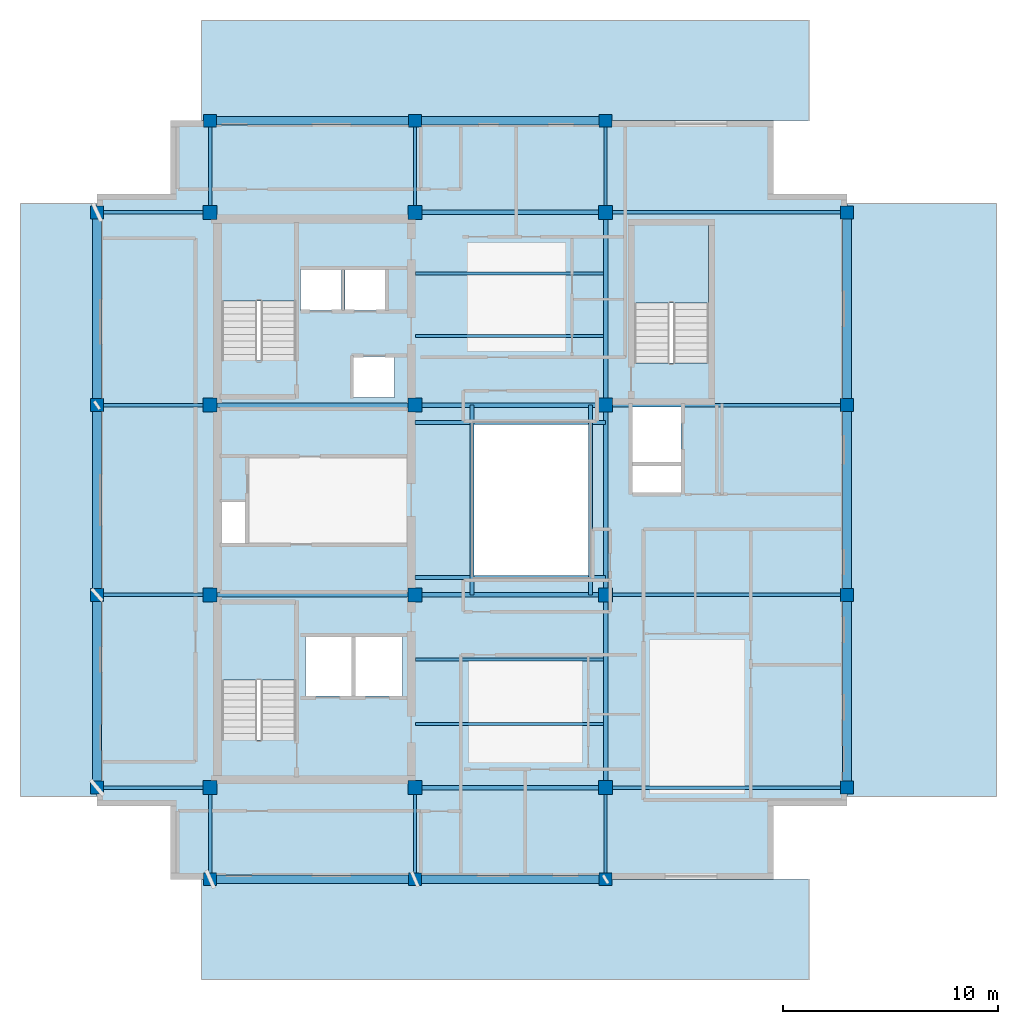
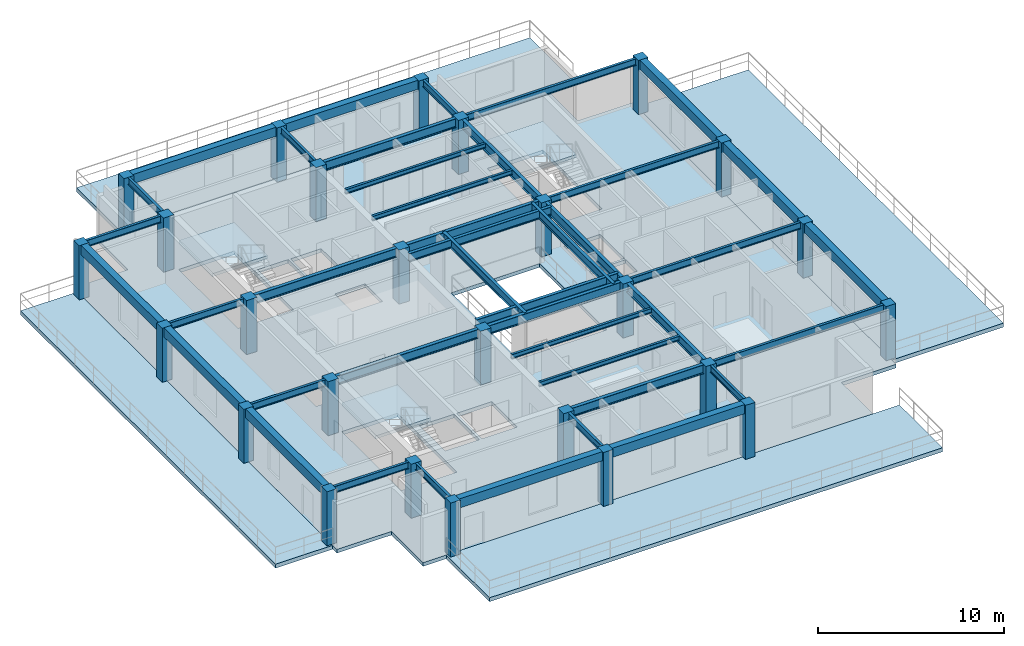
# One storey, part 1 of 9: 41 beams, 26 columns, 8 slabs, 3 elements without a shape of their own.
"""IFC4 building model written with IfcOpenShell, lengths in metres."""

import ifcopenshell
import ifcopenshell.guid

model = None  # the IFC model being written
_history = None  # IfcOwnerHistory: only IFC2X3 demands one
_inside = {}  # id of a spatial element -> (the spatial element, [elements in it])
_under = {}  # id of a project, library or spatial element -> (it, [spatial elements below it])
_declared = {}  # id of a project -> (the project, [libraries it declares])
_typed = {}  # id of a type object -> (the type object, [elements of that type])
_made_of = {}  # id of a material, layer set ... -> (it, [elements and type objects made of it])


def new_model(schema):
    """Start an empty IFC model of exactly this schema.

    Asked for "IFC4X3", IfcOpenShell would pick the latest addendum, in which some entities
    have other attributes; the version numbers below select the first issue.
    IFC2X3 requires an IfcOwnerHistory on every rooted entity: one is made here for all.
    """
    global model, _history
    if schema == "IFC4X3":
        model = ifcopenshell.file(schema_version=(4, 3, 0, 0))
    else:
        model = ifcopenshell.file(schema=schema)
    _inside.clear()
    _under.clear()
    _declared.clear()
    _typed.clear()
    _made_of.clear()
    _history = None
    if model.schema == "IFC2X3":
        org = make("IfcOrganization", Name="unknown")
        user = make(
            "IfcPersonAndOrganization",
            ThePerson=make("IfcPerson", FamilyName="unknown"),
            TheOrganization=org,
        )
        app = make(
            "IfcApplication",
            ApplicationDeveloper=org,
            Version="unknown",
            ApplicationFullName="unknown",
            ApplicationIdentifier="unknown",
        )
        _history = make(
            "IfcOwnerHistory",
            OwningUser=user,
            OwningApplication=app,
            ChangeAction="ADDED",
            CreationDate=0,
        )
    return model


def make(cls, **values):
    """One entity of the class cls with the attributes given. An attribute that is None is left unset."""
    return model.create_entity(
        cls, **{name: value for name, value in values.items() if value is not None}
    )


def rooted(cls, **values):
    """An entity with a GlobalId (a new one), such as an element, a storey or a relation."""
    return make(cls, GlobalId=ifcopenshell.guid.new(), OwnerHistory=_history, **values)


def si_unit(unit_type, name, prefix=None):
    """IfcSIUnit, for example si_unit("LENGTHUNIT", "METRE", prefix="MILLI")."""
    return make("IfcSIUnit", UnitType=unit_type, Prefix=prefix, Name=name)


def assignment(units):
    """IfcUnitAssignment: the units of a project."""
    return None if units is None else make("IfcUnitAssignment", Units=units)


def point(xyz):
    """IfcCartesianPoint."""
    return None if xyz is None else make("IfcCartesianPoint", Coordinates=xyz)


def direction(xyz):
    """IfcDirection."""
    return None if xyz is None else make("IfcDirection", DirectionRatios=xyz)


def frame(location, z_axis=None, x_axis=None):
    """IfcAxis2Placement3D, a coordinate frame: its origin and axes. An axis left out is left unset."""
    return make(
        "IfcAxis2Placement3D",
        Location=point(location),
        Axis=direction(z_axis),
        RefDirection=direction(x_axis),
    )


def frame_2d(location, x_axis=None):
    """IfcAxis2Placement2D, a coordinate frame in the plane: its origin and x axis."""
    return make(
        "IfcAxis2Placement2D", Location=point(location), RefDirection=direction(x_axis)
    )


def origin():
    """The frame at (0, 0, 0) with its axes left unset."""
    return frame((0.0, 0.0, 0.0))


def origin_2d():
    """The frame at (0, 0) in the plane with its x axis left unset."""
    return frame_2d((0.0, 0.0))


def place(relative_to, where):
    """IfcLocalPlacement: puts the frame where relative to a parent placement (None: the world)."""
    return make(
        "IfcLocalPlacement", PlacementRelTo=relative_to, RelativePlacement=where
    )


def context(
    kind, dimensions, precision=None, world=None, true_north=None, identifier=None
):
    """IfcGeometricRepresentationContext, for example the 3D "Model" context."""
    return make(
        "IfcGeometricRepresentationContext",
        ContextIdentifier=identifier,
        ContextType=kind,
        CoordinateSpaceDimension=dimensions,
        Precision=precision,
        WorldCoordinateSystem=world,
        TrueNorth=true_north,
    )


def subcontext(parent, identifier, kind, view, scale=None):
    """IfcGeometricRepresentationSubContext, for example "Body" below "Model"."""
    return make(
        "IfcGeometricRepresentationSubContext",
        ContextIdentifier=identifier,
        ContextType=kind,
        ParentContext=parent,
        TargetScale=scale,
        TargetView=view,
    )


def project(units=None, contexts=None):
    """IfcProject with its units and contexts."""
    return rooted(
        "IfcProject",
        Name="project",
        RepresentationContexts=contexts,
        UnitsInContext=assignment(units),
    )


def spatial(cls, under=None, at=None, **own):
    """A site, building, storey or space (cls), placed at a placement, below another one or the project."""
    s = rooted(cls, ObjectPlacement=at, **own)
    if under is not None:
        _under.setdefault(under.id(), (under, []))[1].append(s)
    return s


def polyline(points):
    """IfcPolyline through the points."""
    return make("IfcPolyline", Points=[point(p) for p in points])


def profile(cls, at=None, kind="AREA", **sizes):
    """A parametric profile (cls). Its sizes go by their IFC names, for example OverallWidth=200.0."""
    return make(cls, ProfileType=kind, Position=at, **sizes)


def rectangle(**sizes):
    """IfcRectangleProfileDef."""
    return profile("IfcRectangleProfileDef", **sizes)


def i_section(**sizes):
    """IfcIShapeProfileDef."""
    return profile("IfcIShapeProfileDef", **sizes)


def outline(outer, holes=None, kind="AREA"):
    """IfcArbitraryClosedProfileDef: a profile drawn as a closed curve; with holes, ...WithVoids."""
    if holes is None:
        return make("IfcArbitraryClosedProfileDef", ProfileType=kind, OuterCurve=outer)
    return make(
        "IfcArbitraryProfileDefWithVoids",
        ProfileType=kind,
        OuterCurve=outer,
        InnerCurves=holes,
    )


def extrude(swept, where, along, depth):
    """IfcExtrudedAreaSolid: the profile swept, set in the frame where, extruded along a direction by depth."""
    return make(
        "IfcExtrudedAreaSolid",
        SweptArea=swept,
        Position=where,
        ExtrudedDirection=direction(along),
        Depth=depth,
    )


def shape(context_of_items, identifier, shape_type, items):
    """IfcShapeRepresentation: the items that make up one representation, for example the "Body"."""
    return make(
        "IfcShapeRepresentation",
        ContextOfItems=context_of_items,
        RepresentationIdentifier=identifier,
        RepresentationType=shape_type,
        Items=items,
    )


def material(Name=None, Category=None):
    """IfcMaterial."""
    return make("IfcMaterial", Name=Name, Category=Category)


def layer(
    of_material, thickness, ventilated=None, Name=None, Category=None, Priority=None
):
    """IfcMaterialLayer: one layer of a wall or slab, of a material (None: an air gap)."""
    return make(
        "IfcMaterialLayer",
        Material=of_material,
        LayerThickness=thickness,
        IsVentilated=ventilated,
        Name=Name,
        Category=Category,
        Priority=Priority,
    )


def layer_set(layers, Name=None):
    """IfcMaterialLayerSet."""
    return make("IfcMaterialLayerSet", MaterialLayers=layers, LayerSetName=Name)


def material_profile(
    of_material, cross_section, Name=None, Category=None, Priority=None
):
    """IfcMaterialProfile: a cross section and its material."""
    return make(
        "IfcMaterialProfile",
        Name=Name,
        Material=of_material,
        Profile=cross_section,
        Priority=Priority,
        Category=Category,
    )


def profile_set(profiles, Name=None, composite=None):
    """IfcMaterialProfileSet."""
    return make(
        "IfcMaterialProfileSet",
        Name=Name,
        MaterialProfiles=profiles,
        CompositeProfile=composite,
    )


def made_of(thing, what):
    """Note that an element or type object is made of a material, layer set ...; save() writes the relation."""
    if what is not None:
        _made_of.setdefault(what.id(), (what, []))[1].append(thing)
    return thing


def type_object(cls, material=None, **own):
    """A type object (cls), such as IfcWallType, which elements share."""
    return made_of(rooted(cls, **own), material)


def element(
    cls,
    number,
    at=None,
    inside=None,
    cuts=None,
    type_object=None,
    material=None,
    context=None,
    identifier="Body",
    shape_type=None,
    held_by="IfcProductDefinitionShape",
    body=None,
    shapes=None,
    **own,
):
    """One element of the class cls, such as IfcWall. Its Tag is "e" and its number.

    at: its placement. inside: the storey or other place that contains it. cuts: it is an
    opening in that element (IfcRelVoidsElement). A single representation is given by context,
    identifier, shape_type and body (its items); several are given by shapes. held_by: the class
    of the entity that holds the representations. save() writes the other relations.
    """
    e = rooted(cls, Tag="e%d" % number, ObjectPlacement=at, **own)
    if body is not None:
        shapes = [shape(context, identifier, shape_type, body)]
    if shapes is not None:
        e.Representation = make(held_by, Representations=shapes)
    if inside is not None:
        _inside.setdefault(inside.id(), (inside, []))[1].append(e)
    if cuts is not None:
        rooted(
            "IfcRelVoidsElement", RelatingBuildingElement=cuts, RelatedOpeningElement=e
        )
    if type_object is not None:
        _typed.setdefault(type_object.id(), (type_object, []))[1].append(e)
    return made_of(e, material)


def aggregate(whole, parts):
    """IfcRelAggregates: a whole, such as a stair, and the parts it consists of."""
    return rooted("IfcRelAggregates", RelatingObject=whole, RelatedObjects=parts)


def save(model, path):
    """Write the relations noted so far, then the file.

    IfcRelAggregates (storeys below a building ...), IfcRelContainedInSpatialStructure (elements
    in a storey), IfcRelDefinesByType, IfcRelAssociatesMaterial and IfcRelDeclares: one each for
    every whole, place, type object, material and project.
    """
    for whole, parts in _under.values():
        aggregate(whole, parts)
    for where, things in _inside.values():
        rooted(
            "IfcRelContainedInSpatialStructure",
            RelatedElements=things,
            RelatingStructure=where,
        )
    for kind, things in _typed.values():
        rooted("IfcRelDefinesByType", RelatedObjects=things, RelatingType=kind)
    for what, things in _made_of.values():
        rooted("IfcRelAssociatesMaterial", RelatedObjects=things, RelatingMaterial=what)
    for by, libraries in _declared.values():
        rooted("IfcRelDeclares", RelatingContext=by, RelatedDefinitions=libraries)
    model.write(path)


model = new_model("IFC4")

# Units and contexts
model_context = context("Model", 3, precision=1e-05, world=origin(), true_north=direction((0.0, 1.0)))
body_context = subcontext(model_context, "Body", "Model", "MODEL_VIEW")
ifc_project = project(units=[si_unit("LENGTHUNIT", "METRE"), si_unit("AREAUNIT", "SQUARE_METRE"), si_unit("VOLUMEUNIT", "CUBIC_METRE"), si_unit("PLANEANGLEUNIT", "RADIAN"), si_unit("MASSUNIT", "GRAM", prefix="KILO")], contexts=[model_context])

# Site, building, storey
site_placement = place(None, origin())
site = spatial("IfcSite", under=ifc_project, at=site_placement, CompositionType="ELEMENT")
building_placement = place(site_placement, origin())
building = spatial("IfcBuilding", under=site, at=building_placement, Name="Kundavana Baori Tower", CompositionType="ELEMENT")
storey_placement = place(building_placement, frame((0.0, 0.0, 327.699951171875)))
storey = spatial("IfcBuildingStorey", under=building, at=storey_placement, Name="L81", CompositionType="ELEMENT", Elevation=327.699951171875)

# Columns
ifc_material_1 = material(Name="Concrete C50/60", Category="concrete")
ifc_material_profile_1 = material_profile(ifc_material_1, rectangle(XDim=0.60009765625, YDim=0.60009765625, at=origin_2d()), Name="RC PF 600x600")
ifc_profile_set_1 = profile_set([ifc_material_profile_1], Name="Concrete C50/60")
column_type_1 = type_object("IfcColumnType", Name="COL-PF-600", PredefinedType="COLUMN", material=ifc_profile_set_1)
for number, where, z_axis, x_axis, name in (
    (1, (15.449951171875, 11.0, 0.0), (0.0, 0.0, 1.0), (1.0, 0.0, 0.0), "L81 Stone-Clad Perimeter Frame Column PF-S1"),
    (2, (15.449951171875, 46.199951171875, 0.0), (0.0, 0.0, 1.0), (1.0, 0.0, 0.0), "L81 Stone-Clad Perimeter Frame Column PF-N1"),
    (3, (24.949951171875, 11.0, 0.0), (0.0, 0.0, 1.0), (1.0, 0.0, 0.0), "L81 Stone-Clad Perimeter Frame Column PF-S2"),
    (4, (24.949951171875, 46.199951171875, 0.0), (0.0, 0.0, 1.0), (1.0, 0.0, 0.0), "L81 Stone-Clad Perimeter Frame Column PF-N2"),
    (5, (33.800048828125, 11.0, 0.0), (0.0, 0.0, 1.0), (1.0, 0.0, 0.0), "L81 Stone-Clad Perimeter Frame Column PF-S3"),
    (6, (33.800048828125, 46.199951171875, 0.0), (0.0, 0.0, 1.0), (1.0, 0.0, 0.0), "L81 Stone-Clad Perimeter Frame Column PF-N3"),
    (7, (10.199951171875, 15.25, 0.0), (0.0, 0.0, 1.0), (1.0, 0.0, 0.0), "L81 Stone-Clad Perimeter Frame Column PF-W1"),
    (8, (45.0, 15.25, 0.0), (0.0, 0.0, 1.0), (1.0, 0.0, 0.0), "L81 Stone-Clad Perimeter Frame Column PF-E1"),
    (9, (10.199951171875, 24.199951171875, 0.0), (0.0, 0.0, 1.0), (1.0, 0.0, 0.0), "L81 Stone-Clad Perimeter Frame Column PF-W2"),
    (10, (45.0, 24.199951171875, 0.0), (0.0, 0.0, 1.0), (1.0, 0.0, 0.0), "L81 Stone-Clad Perimeter Frame Column PF-E2"),
    (11, (10.199951171875, 33.0, 0.0), (0.0, 0.0, 1.0), (1.0, 0.0, 0.0), "L81 Stone-Clad Perimeter Frame Column PF-W3"),
    (12, (45.0, 33.0, 0.0), (0.0, 0.0, 1.0), (1.0, 0.0, 0.0), "L81 Stone-Clad Perimeter Frame Column PF-E3"),
    (13, (10.199951171875, 41.949951171875, 0.0), (0.0, 0.0, 1.0), (1.0, 0.0, 0.0), "L81 Stone-Clad Perimeter Frame Column PF-W4"),
    (14, (45.0, 41.949951171875, 0.0), (0.0, 0.0, 1.0), (1.0, 0.0, 0.0), "L81 Stone-Clad Perimeter Frame Column PF-E4"),
):
    element("IfcColumn", number, at=place(storey_placement, frame(where, z_axis=z_axis, x_axis=x_axis)), inside=storey, type_object=column_type_1, Name=name, PredefinedType="COLUMN", context=body_context, shape_type="SweptSolid", body=[
        extrude(rectangle(XDim=0.60009765625, YDim=0.60009765625, at=origin_2d()), origin(), (0.0, 0.0, 1.0), 3.56005859375),
    ])
ifc_material_2 = material(Name="Concrete C50/60", Category="concrete")
ifc_material_profile_2 = material_profile(ifc_material_2, rectangle(XDim=0.64990234375, YDim=0.64990234375, at=origin_2d()), Name="RC 650x650")
ifc_profile_set_2 = profile_set([ifc_material_profile_2], Name="Concrete C50/60")
column_type_2 = type_object("IfcColumnType", Name="COL-RC-650", PredefinedType="COLUMN", material=ifc_profile_set_2)
for number, where, z_axis, x_axis, name in (
    (15, (15.449951171875, 15.25, 0.0), (0.0, 0.0, 1.0), (1.0, 0.0, 0.0), "L81 Interior Column IC-3C"),
    (16, (15.449951171875, 24.199951171875, 0.0), (0.0, 0.0, 1.0), (1.0, 0.0, 0.0), "L81 Interior Column IC-3D"),
    (17, (15.449951171875, 33.0, 0.0), (0.0, 0.0, 1.0), (1.0, 0.0, 0.0), "L81 Interior Column IC-3E"),
    (18, (15.449951171875, 41.949951171875, 0.0), (0.0, 0.0, 1.0), (1.0, 0.0, 0.0), "L81 Interior Column IC-3F"),
    (19, (24.949951171875, 15.25, 0.0), (0.0, 0.0, 1.0), (1.0, 0.0, 0.0), "L81 Interior Column IC-4C"),
    (20, (24.949951171875, 24.199951171875, 0.0), (0.0, 0.0, 1.0), (1.0, 0.0, 0.0), "L81 Interior Column IC-4D"),
    (21, (24.949951171875, 33.0, 0.0), (0.0, 0.0, 1.0), (1.0, 0.0, 0.0), "L81 Interior Column IC-4E"),
    (22, (24.949951171875, 41.949951171875, 0.0), (0.0, 0.0, 1.0), (1.0, 0.0, 0.0), "L81 Interior Column IC-4F"),
    (23, (33.800048828125, 15.25, 0.0), (0.0, 0.0, 1.0), (1.0, 0.0, 0.0), "L81 Interior Column IC-5C"),
    (24, (33.800048828125, 24.199951171875, 0.0), (0.0, 0.0, 1.0), (1.0, 0.0, 0.0), "L81 Interior Column IC-5D"),
    (25, (33.800048828125, 33.0, 0.0), (0.0, 0.0, 1.0), (1.0, 0.0, 0.0), "L81 Interior Column IC-5E"),
    (26, (33.800048828125, 41.949951171875, 0.0), (0.0, 0.0, 1.0), (1.0, 0.0, 0.0), "L81 Interior Column IC-5F"),
):
    element("IfcColumn", number, at=place(storey_placement, frame(where, z_axis=z_axis, x_axis=x_axis)), inside=storey, type_object=column_type_2, Name=name, PredefinedType="COLUMN", context=body_context, shape_type="SweptSolid", body=[
        extrude(rectangle(XDim=0.64990234375, YDim=0.64990234375, at=origin_2d()), origin(), (0.0, 0.0, 1.0), 3.56005859375),
    ])

# Beams
ifc_material_3 = material(Name="Concrete C50/60", Category="concrete")
ifc_material_profile_3 = material_profile(ifc_material_3, rectangle(XDim=0.39990234375, YDim=0.60009765625, at=origin_2d()), Name="RC BM 400x600")
ifc_profile_set_3 = profile_set([ifc_material_profile_3], Name="Concrete C50/60")
beam_type_1 = type_object("IfcBeamType", Name="BM-PF-600", PredefinedType="SPANDREL", material=ifc_profile_set_3)
beam_1_placement = place(storey_placement, frame((15.449951171875, 11.0, 3.260009765625), z_axis=(1.0, 0.0, 0.0), x_axis=(0.0, 1.0, 0.0)))
element("IfcBeam", 27, at=beam_1_placement, inside=storey, type_object=beam_type_1, Name="L81 Perimeter Frame Ring Beam S1", PredefinedType="SPANDREL", context=body_context, shape_type="SweptSolid", body=[
    extrude(rectangle(XDim=0.39990234375, YDim=0.60009765625, at=origin_2d()), origin(), (0.0, 0.0, 1.0), 9.5),
])
beam_2_placement = place(storey_placement, frame((24.949951171875, 11.0, 3.260009765625), z_axis=(1.0, 0.0, 0.0), x_axis=(0.0, 1.0, 0.0)))
element("IfcBeam", 28, at=beam_2_placement, inside=storey, type_object=beam_type_1, Name="L81 Perimeter Frame Ring Beam S2", PredefinedType="SPANDREL", context=body_context, shape_type="SweptSolid", body=[
    extrude(rectangle(XDim=0.39990234375, YDim=0.60009765625, at=origin_2d()), origin(), (0.0, 0.0, 1.0), 8.85009765625),
])
beam_3_placement = place(storey_placement, frame((15.449951171875, 46.199951171875, 3.260009765625), z_axis=(1.0, 0.0, 0.0), x_axis=(0.0, 1.0, 0.0)))
element("IfcBeam", 29, at=beam_3_placement, inside=storey, type_object=beam_type_1, Name="L81 Perimeter Frame Ring Beam N1", PredefinedType="SPANDREL", context=body_context, shape_type="SweptSolid", body=[
    extrude(rectangle(XDim=0.39990234375, YDim=0.60009765625, at=origin_2d()), origin(), (0.0, 0.0, 1.0), 9.5),
])
beam_4_placement = place(storey_placement, frame((24.949951171875, 46.199951171875, 3.260009765625), z_axis=(1.0, 0.0, 0.0), x_axis=(0.0, 1.0, 0.0)))
element("IfcBeam", 30, at=beam_4_placement, inside=storey, type_object=beam_type_1, Name="L81 Perimeter Frame Ring Beam N2", PredefinedType="SPANDREL", context=body_context, shape_type="SweptSolid", body=[
    extrude(rectangle(XDim=0.39990234375, YDim=0.60009765625, at=origin_2d()), origin(), (0.0, 0.0, 1.0), 8.85009765625),
])
beam_5_placement = place(storey_placement, frame((10.199951171875, 15.25, 3.260009765625), z_axis=(0.0, 1.0, 0.0), x_axis=(-1.0, 0.0, 0.0)))
element("IfcBeam", 31, at=beam_5_placement, inside=storey, type_object=beam_type_1, Name="L81 Perimeter Frame Ring Beam W1", PredefinedType="SPANDREL", context=body_context, shape_type="SweptSolid", body=[
    extrude(rectangle(XDim=0.39990234375, YDim=0.60009765625, at=origin_2d()), origin(), (0.0, 0.0, 1.0), 8.949951171875),
])
beam_6_placement = place(storey_placement, frame((10.199951171875, 24.199951171875, 3.260009765625), z_axis=(0.0, 1.0, 0.0), x_axis=(-1.0, 0.0, 0.0)))
element("IfcBeam", 32, at=beam_6_placement, inside=storey, type_object=beam_type_1, Name="L81 Perimeter Frame Ring Beam W2", PredefinedType="SPANDREL", context=body_context, shape_type="SweptSolid", body=[
    extrude(rectangle(XDim=0.39990234375, YDim=0.60009765625, at=origin_2d()), origin(), (0.0, 0.0, 1.0), 8.800048828125),
])
for number, where, z_axis, x_axis, name in (
    (33, (10.199951171875, 33.0, 3.260009765625), (0.0, 1.0, 0.0), (-1.0, 0.0, 0.0), "L81 Perimeter Frame Ring Beam W3"),
    (34, (45.0, 15.25, 3.260009765625), (0.0, 1.0, 0.0), (-1.0, 0.0, 0.0), "L81 Perimeter Frame Ring Beam E1"),
):
    element("IfcBeam", number, at=place(storey_placement, frame(where, z_axis=z_axis, x_axis=x_axis)), inside=storey, type_object=beam_type_1, Name=name, PredefinedType="SPANDREL", context=body_context, shape_type="SweptSolid", body=[
        extrude(rectangle(XDim=0.39990234375, YDim=0.60009765625, at=origin_2d()), origin(), (0.0, 0.0, 1.0), 8.949951171875),
    ])
beam_7_placement = place(storey_placement, frame((45.0, 24.199951171875, 3.260009765625), z_axis=(0.0, 1.0, 0.0), x_axis=(-1.0, 0.0, 0.0)))
element("IfcBeam", 35, at=beam_7_placement, inside=storey, type_object=beam_type_1, Name="L81 Perimeter Frame Ring Beam E2", PredefinedType="SPANDREL", context=body_context, shape_type="SweptSolid", body=[
    extrude(rectangle(XDim=0.39990234375, YDim=0.60009765625, at=origin_2d()), origin(), (0.0, 0.0, 1.0), 8.800048828125),
])
beam_8_placement = place(storey_placement, frame((45.0, 33.0, 3.260009765625), z_axis=(0.0, 1.0, 0.0), x_axis=(-1.0, 0.0, 0.0)))
element("IfcBeam", 36, at=beam_8_placement, inside=storey, type_object=beam_type_1, Name="L81 Perimeter Frame Ring Beam E3", PredefinedType="SPANDREL", context=body_context, shape_type="SweptSolid", body=[
    extrude(rectangle(XDim=0.39990234375, YDim=0.60009765625, at=origin_2d()), origin(), (0.0, 0.0, 1.0), 8.949951171875),
])
ifc_material_4 = material(Name="Structural Steel S355JR", Category="steel")
ifc_material_profile_4 = material_profile(ifc_material_4, i_section(OverallWidth=0.139892578125, OverallDepth=0.300048828125, WebThickness=0.0078125, FlangeThickness=0.01318359375, FilletRadius=0.013916015625, at=origin_2d()), Name="ISMB 300")
ifc_profile_set_4 = profile_set([ifc_material_profile_4], Name="Structural Steel S355JR")
beam_type_2 = type_object("IfcBeamType", Name="BM-RF-300", PredefinedType="BEAM", material=ifc_profile_set_4)
for number, where, z_axis, x_axis, name in (
    (37, (24.97998046875, 18.199951171875, 3.41015625), (1.0, 0.0, 0.0), (0.0, 1.0, 0.0), "L81 Central Bay Composite Floor Joist C1"),
    (38, (24.97998046875, 21.199951171875, 3.41015625), (1.0, 0.0, 0.0), (0.0, 1.0, 0.0), "L81 Central Bay Composite Floor Joist C2"),
    (39, (24.97998046875, 36.199951171875, 3.41015625), (1.0, 0.0, 0.0), (0.0, 1.0, 0.0), "L81 Central Bay Composite Floor Joist C3"),
    (40, (24.97998046875, 39.10009765625, 3.41015625), (1.0, 0.0, 0.0), (0.0, 1.0, 0.0), "L81 Central Bay Composite Floor Joist C4"),
):
    element("IfcBeam", number, at=place(storey_placement, frame(where, z_axis=z_axis, x_axis=x_axis)), inside=storey, type_object=beam_type_2, Name=name, PredefinedType="BEAM", context=body_context, shape_type="SweptSolid", body=[
        extrude(i_section(OverallWidth=0.139892578125, OverallDepth=0.300048828125, WebThickness=0.0078125, FlangeThickness=0.01318359375, FilletRadius=0.013916015625, at=origin_2d()), origin(), (0.0, 0.0, 1.0), 8.715087890625),
    ])
ifc_material_5 = material(Name="Structural Steel S355JR", Category="steel")
ifc_material_profile_5 = material_profile(ifc_material_5, i_section(OverallWidth=0.18994140625, OverallDepth=0.550048828125, WebThickness=0.01123046875, FlangeThickness=0.019287109375, FilletRadius=0.01806640625, at=origin_2d()), Name="ISMB 550")
ifc_profile_set_5 = profile_set([ifc_material_profile_5], Name="Structural Steel S355JR")
beam_type_3 = type_object("IfcBeamType", Name="BM-ST-550", PredefinedType="BEAM", material=ifc_profile_set_5)
for number, where, z_axis, x_axis, name in (
    (41, (27.60009765625, 24.199951171875, 3.28515625), (0.0, 1.0, 0.0), (-1.0, 0.0, 0.0), "L81 Atrium West Edge Beam"),
    (42, (33.10009765625, 24.199951171875, 3.28515625), (0.0, 1.0, 0.0), (-1.0, 0.0, 0.0), "L81 Atrium East Edge Beam"),
):
    element("IfcBeam", number, at=place(storey_placement, frame(where, z_axis=z_axis, x_axis=x_axis)), inside=storey, type_object=beam_type_3, Name=name, PredefinedType="BEAM", context=body_context, shape_type="SweptSolid", body=[
        extrude(i_section(OverallWidth=0.18994140625, OverallDepth=0.550048828125, WebThickness=0.01123046875, FlangeThickness=0.019287109375, FilletRadius=0.01806640625, at=origin_2d()), origin(), (0.0, 0.0, 1.0), 8.800048828125),
    ])
for number, where, z_axis, x_axis, name in (
    (43, (24.949951171875, 25.0, 3.28515625), (1.0, 0.0, 0.0), (0.0, 1.0, 0.0), "L81 Atrium South Edge Beam"),
    (44, (24.949951171875, 32.199951171875, 3.28515625), (1.0, 0.0, 0.0), (0.0, 1.0, 0.0), "L81 Atrium North Edge Beam"),
):
    element("IfcBeam", number, at=place(storey_placement, frame(where, z_axis=z_axis, x_axis=x_axis)), inside=storey, type_object=beam_type_3, Name=name, PredefinedType="BEAM", context=body_context, shape_type="SweptSolid", body=[
        extrude(i_section(OverallWidth=0.18994140625, OverallDepth=0.550048828125, WebThickness=0.01123046875, FlangeThickness=0.019287109375, FilletRadius=0.01806640625, at=origin_2d()), origin(), (0.0, 0.0, 1.0), 8.85009765625),
    ])
ifc_material_6 = material(Name="Structural Steel S355JR", Category="steel")
ifc_material_profile_6 = material_profile(ifc_material_6, i_section(OverallWidth=0.2099609375, OverallDepth=0.60009765625, WebThickness=0.011962890625, FlangeThickness=0.020751953125, FilletRadius=0.02001953125, at=origin_2d()), Name="ISMB 600")
ifc_profile_set_6 = profile_set([ifc_material_profile_6], Name="Structural Steel S355JR")
beam_type_4 = type_object("IfcBeamType", Name="BM-ST-600", PredefinedType="BEAM", material=ifc_profile_set_6)
beam_9_placement = place(storey_placement, frame((24.949951171875, 15.25, 3.260009765625), z_axis=(1.0, 0.0, 0.0), x_axis=(0.0, 1.0, 0.0)))
element("IfcBeam", 45, at=beam_9_placement, inside=storey, type_object=beam_type_4, Name="L81 Primary Grid Girder GX-1-2", PredefinedType="BEAM", context=body_context, shape_type="SweptSolid", body=[
    extrude(i_section(OverallWidth=0.2099609375, OverallDepth=0.60009765625, WebThickness=0.011962890625, FlangeThickness=0.020751953125, FilletRadius=0.02001953125, at=origin_2d()), origin(), (0.0, 0.0, 1.0), 8.85009765625),
])
beam_10_placement = place(storey_placement, frame((15.449951171875, 24.199951171875, 3.260009765625), z_axis=(1.0, 0.0, 0.0), x_axis=(0.0, 1.0, 0.0)))
element("IfcBeam", 46, at=beam_10_placement, inside=storey, type_object=beam_type_4, Name="L81 Primary Grid Girder GX-2-1", PredefinedType="BEAM", context=body_context, shape_type="SweptSolid", body=[
    extrude(i_section(OverallWidth=0.2099609375, OverallDepth=0.60009765625, WebThickness=0.011962890625, FlangeThickness=0.020751953125, FilletRadius=0.02001953125, at=origin_2d()), origin(), (0.0, 0.0, 1.0), 9.5),
])
beam_11_placement = place(storey_placement, frame((24.949951171875, 24.199951171875, 3.260009765625), z_axis=(1.0, 0.0, 0.0), x_axis=(0.0, 1.0, 0.0)))
element("IfcBeam", 47, at=beam_11_placement, inside=storey, type_object=beam_type_4, Name="L81 Primary Grid Girder GX-2-2", PredefinedType="BEAM", context=body_context, shape_type="SweptSolid", body=[
    extrude(i_section(OverallWidth=0.2099609375, OverallDepth=0.60009765625, WebThickness=0.011962890625, FlangeThickness=0.020751953125, FilletRadius=0.02001953125, at=origin_2d()), origin(), (0.0, 0.0, 1.0), 8.85009765625),
])
beam_12_placement = place(storey_placement, frame((15.449951171875, 33.0, 3.260009765625), z_axis=(1.0, 0.0, 0.0), x_axis=(0.0, 1.0, 0.0)))
element("IfcBeam", 48, at=beam_12_placement, inside=storey, type_object=beam_type_4, Name="L81 Primary Grid Girder GX-3-1", PredefinedType="BEAM", context=body_context, shape_type="SweptSolid", body=[
    extrude(i_section(OverallWidth=0.2099609375, OverallDepth=0.60009765625, WebThickness=0.011962890625, FlangeThickness=0.020751953125, FilletRadius=0.02001953125, at=origin_2d()), origin(), (0.0, 0.0, 1.0), 9.5),
])
for number, where, z_axis, x_axis, name in (
    (49, (24.949951171875, 33.0, 3.260009765625), (1.0, 0.0, 0.0), (0.0, 1.0, 0.0), "L81 Primary Grid Girder GX-3-2"),
    (50, (24.949951171875, 41.949951171875, 3.260009765625), (1.0, 0.0, 0.0), (0.0, 1.0, 0.0), "L81 Primary Grid Girder GX-4-2"),
):
    element("IfcBeam", number, at=place(storey_placement, frame(where, z_axis=z_axis, x_axis=x_axis)), inside=storey, type_object=beam_type_4, Name=name, PredefinedType="BEAM", context=body_context, shape_type="SweptSolid", body=[
        extrude(i_section(OverallWidth=0.2099609375, OverallDepth=0.60009765625, WebThickness=0.011962890625, FlangeThickness=0.020751953125, FilletRadius=0.02001953125, at=origin_2d()), origin(), (0.0, 0.0, 1.0), 8.85009765625),
    ])
beam_13_placement = place(storey_placement, frame((33.800048828125, 15.25, 3.260009765625), z_axis=(0.0, 1.0, 0.0), x_axis=(-1.0, 0.0, 0.0)))
element("IfcBeam", 51, at=beam_13_placement, inside=storey, type_object=beam_type_4, Name="L81 Primary Grid Girder GY-3-1", PredefinedType="BEAM", context=body_context, shape_type="SweptSolid", body=[
    extrude(i_section(OverallWidth=0.2099609375, OverallDepth=0.60009765625, WebThickness=0.011962890625, FlangeThickness=0.020751953125, FilletRadius=0.02001953125, at=origin_2d()), origin(), (0.0, 0.0, 1.0), 8.949951171875),
])
beam_14_placement = place(storey_placement, frame((33.800048828125, 24.199951171875, 3.260009765625), z_axis=(0.0, 1.0, 0.0), x_axis=(-1.0, 0.0, 0.0)))
element("IfcBeam", 52, at=beam_14_placement, inside=storey, type_object=beam_type_4, Name="L81 Primary Grid Girder GY-3-2", PredefinedType="BEAM", context=body_context, shape_type="SweptSolid", body=[
    extrude(i_section(OverallWidth=0.2099609375, OverallDepth=0.60009765625, WebThickness=0.011962890625, FlangeThickness=0.020751953125, FilletRadius=0.02001953125, at=origin_2d()), origin(), (0.0, 0.0, 1.0), 8.800048828125),
])
beam_15_placement = place(storey_placement, frame((33.800048828125, 33.0, 3.260009765625), z_axis=(0.0, 1.0, 0.0), x_axis=(-1.0, 0.0, 0.0)))
element("IfcBeam", 53, at=beam_15_placement, inside=storey, type_object=beam_type_4, Name="L81 Primary Grid Girder GY-3-3", PredefinedType="BEAM", context=body_context, shape_type="SweptSolid", body=[
    extrude(i_section(OverallWidth=0.2099609375, OverallDepth=0.60009765625, WebThickness=0.011962890625, FlangeThickness=0.020751953125, FilletRadius=0.02001953125, at=origin_2d()), origin(), (0.0, 0.0, 1.0), 8.949951171875),
])
ifc_material_7 = material(Name="Structural Steel S355JR", Category="steel")
ifc_material_profile_7 = material_profile(ifc_material_7, i_section(OverallWidth=0.14990234375, OverallDepth=0.449951171875, WebThickness=0.009521484375, FlangeThickness=0.017333984375, FilletRadius=0.014892578125, at=origin_2d()), Name="ISMB 450")
ifc_profile_set_7 = profile_set([ifc_material_profile_7], Name="Structural Steel S355JR")
beam_type_5 = type_object("IfcBeamType", Name="BM-TIE-450", PredefinedType="BEAM", material=ifc_profile_set_7)
for number, where, z_axis, x_axis, name in (
    (54, (15.449951171875, 15.25, 3.3349609375), (0.0, -1.0, 0.0), (1.0, 0.0, 0.0), "L81 South Radial Loggia Tie Beam S1"),
    (55, (15.449951171875, 41.949951171875, 3.3349609375), (0.0, 1.0, 0.0), (-1.0, 0.0, 0.0), "L81 North Radial Loggia Tie Beam N1"),
    (56, (24.949951171875, 15.25, 3.3349609375), (0.0, -1.0, 0.0), (1.0, 0.0, 0.0), "L81 South Radial Loggia Tie Beam S2"),
    (57, (24.949951171875, 41.949951171875, 3.3349609375), (0.0, 1.0, 0.0), (-1.0, 0.0, 0.0), "L81 North Radial Loggia Tie Beam N2"),
    (58, (33.800048828125, 15.25, 3.3349609375), (0.0, -1.0, 0.0), (1.0, 0.0, 0.0), "L81 South Radial Loggia Tie Beam S3"),
    (59, (33.800048828125, 41.949951171875, 3.3349609375), (0.0, 1.0, 0.0), (-1.0, 0.0, 0.0), "L81 North Radial Loggia Tie Beam N3"),
):
    element("IfcBeam", number, at=place(storey_placement, frame(where, z_axis=z_axis, x_axis=x_axis)), inside=storey, type_object=beam_type_5, Name=name, PredefinedType="BEAM", context=body_context, shape_type="SweptSolid", body=[
        extrude(i_section(OverallWidth=0.14990234375, OverallDepth=0.449951171875, WebThickness=0.009521484375, FlangeThickness=0.017333984375, FilletRadius=0.014892578125, at=origin_2d()), origin(), (0.0, 0.0, 1.0), 4.25),
    ])
beam_16_placement = place(storey_placement, frame((15.449951171875, 15.25, 3.3349609375), z_axis=(-1.0, 0.0, 0.0), x_axis=(0.0, -1.0, 0.0)))
element("IfcBeam", 60, at=beam_16_placement, inside=storey, type_object=beam_type_5, Name="L81 West Radial Loggia Tie Beam W1", PredefinedType="BEAM", context=body_context, shape_type="SweptSolid", body=[
    extrude(i_section(OverallWidth=0.14990234375, OverallDepth=0.449951171875, WebThickness=0.009521484375, FlangeThickness=0.017333984375, FilletRadius=0.014892578125, at=origin_2d()), origin(), (0.0, 0.0, 1.0), 5.25),
])
beam_17_placement = place(storey_placement, frame((33.800048828125, 15.25, 3.3349609375), z_axis=(1.0, 0.0, 0.0), x_axis=(0.0, 1.0, 0.0)))
element("IfcBeam", 61, at=beam_17_placement, inside=storey, type_object=beam_type_5, Name="L81 East Radial Loggia Tie Beam E1", PredefinedType="BEAM", context=body_context, shape_type="SweptSolid", body=[
    extrude(i_section(OverallWidth=0.14990234375, OverallDepth=0.449951171875, WebThickness=0.009521484375, FlangeThickness=0.017333984375, FilletRadius=0.014892578125, at=origin_2d()), origin(), (0.0, 0.0, 1.0), 11.199951171875),
])
beam_18_placement = place(storey_placement, frame((15.449951171875, 24.199951171875, 3.3349609375), z_axis=(-1.0, 0.0, 0.0), x_axis=(0.0, -1.0, 0.0)))
element("IfcBeam", 62, at=beam_18_placement, inside=storey, type_object=beam_type_5, Name="L81 West Radial Loggia Tie Beam W2", PredefinedType="BEAM", context=body_context, shape_type="SweptSolid", body=[
    extrude(i_section(OverallWidth=0.14990234375, OverallDepth=0.449951171875, WebThickness=0.009521484375, FlangeThickness=0.017333984375, FilletRadius=0.014892578125, at=origin_2d()), origin(), (0.0, 0.0, 1.0), 5.25),
])
beam_19_placement = place(storey_placement, frame((33.800048828125, 24.199951171875, 3.3349609375), z_axis=(1.0, 0.0, 0.0), x_axis=(0.0, 1.0, 0.0)))
element("IfcBeam", 63, at=beam_19_placement, inside=storey, type_object=beam_type_5, Name="L81 East Radial Loggia Tie Beam E2", PredefinedType="BEAM", context=body_context, shape_type="SweptSolid", body=[
    extrude(i_section(OverallWidth=0.14990234375, OverallDepth=0.449951171875, WebThickness=0.009521484375, FlangeThickness=0.017333984375, FilletRadius=0.014892578125, at=origin_2d()), origin(), (0.0, 0.0, 1.0), 11.199951171875),
])
beam_20_placement = place(storey_placement, frame((15.449951171875, 33.0, 3.3349609375), z_axis=(-1.0, 0.0, 0.0), x_axis=(0.0, -1.0, 0.0)))
element("IfcBeam", 64, at=beam_20_placement, inside=storey, type_object=beam_type_5, Name="L81 West Radial Loggia Tie Beam W3", PredefinedType="BEAM", context=body_context, shape_type="SweptSolid", body=[
    extrude(i_section(OverallWidth=0.14990234375, OverallDepth=0.449951171875, WebThickness=0.009521484375, FlangeThickness=0.017333984375, FilletRadius=0.014892578125, at=origin_2d()), origin(), (0.0, 0.0, 1.0), 5.25),
])
beam_21_placement = place(storey_placement, frame((33.800048828125, 33.0, 3.3349609375), z_axis=(1.0, 0.0, 0.0), x_axis=(0.0, 1.0, 0.0)))
element("IfcBeam", 65, at=beam_21_placement, inside=storey, type_object=beam_type_5, Name="L81 East Radial Loggia Tie Beam E3", PredefinedType="BEAM", context=body_context, shape_type="SweptSolid", body=[
    extrude(i_section(OverallWidth=0.14990234375, OverallDepth=0.449951171875, WebThickness=0.009521484375, FlangeThickness=0.017333984375, FilletRadius=0.014892578125, at=origin_2d()), origin(), (0.0, 0.0, 1.0), 11.199951171875),
])
beam_22_placement = place(storey_placement, frame((15.449951171875, 41.949951171875, 3.3349609375), z_axis=(-1.0, 0.0, 0.0), x_axis=(0.0, -1.0, 0.0)))
element("IfcBeam", 66, at=beam_22_placement, inside=storey, type_object=beam_type_5, Name="L81 West Radial Loggia Tie Beam W4", PredefinedType="BEAM", context=body_context, shape_type="SweptSolid", body=[
    extrude(i_section(OverallWidth=0.14990234375, OverallDepth=0.449951171875, WebThickness=0.009521484375, FlangeThickness=0.017333984375, FilletRadius=0.014892578125, at=origin_2d()), origin(), (0.0, 0.0, 1.0), 5.25),
])
beam_23_placement = place(storey_placement, frame((33.800048828125, 41.949951171875, 3.3349609375), z_axis=(1.0, 0.0, 0.0), x_axis=(0.0, 1.0, 0.0)))
element("IfcBeam", 67, at=beam_23_placement, inside=storey, type_object=beam_type_5, Name="L81 East Radial Loggia Tie Beam E4", PredefinedType="BEAM", context=body_context, shape_type="SweptSolid", body=[
    extrude(i_section(OverallWidth=0.14990234375, OverallDepth=0.449951171875, WebThickness=0.009521484375, FlangeThickness=0.017333984375, FilletRadius=0.014892578125, at=origin_2d()), origin(), (0.0, 0.0, 1.0), 11.199951171875),
])

# Slab
ifc_material_8 = material(Name="Concrete C40/50", Category="concrete")
ifc_layer_1 = layer(ifc_material_8, 0.239990234375, Name="SLB-FLR-240")
ifc_layer_set_1 = layer_set([ifc_layer_1], Name="Concrete C40/50")
slab_type_1 = type_object("IfcSlabType", Name="SLB-FLR-240", PredefinedType="FLOOR", material=ifc_layer_set_1)
slab_1_placement = place(storey_placement, frame((0.0, 0.0, -0.239990234375)))
element("IfcSlab", 68, at=slab_1_placement, inside=storey, type_object=slab_type_1, Name="L81 Structural Floor Slab", PredefinedType="FLOOR", context=body_context, shape_type="SweptSolid", body=[
    extrude(outline(polyline([(13.60009765625, 11.0), (41.60009765625, 11.0), (41.60009765625, 14.39990234375), (45.0, 14.39990234375), (45.0, 42.800048828125), (41.60009765625, 42.800048828125), (41.60009765625, 46.199951171875), (13.60009765625, 46.199951171875), (13.60009765625, 42.800048828125), (10.199951171875, 42.800048828125), (10.199951171875, 14.39990234375), (13.60009765625, 14.39990234375), (13.60009765625, 11.0)]), holes=[polyline([(19.43994140625, 17.4619140625), (19.43994140625, 23.85009765625), (15.97998046875, 23.85009765625), (15.97998046875, 17.4619140625), (19.43994140625, 17.4619140625)]), polyline([(19.43994140625, 35.06201171875), (19.43994140625, 41.449951171875), (15.97998046875, 41.449951171875), (15.97998046875, 35.06201171875), (19.43994140625, 35.06201171875)]), polyline([(38.580078125, 34.9619140625), (38.580078125, 41.35009765625), (35.1201171875, 41.35009765625), (35.1201171875, 34.9619140625), (38.580078125, 34.9619140625)]), polyline([(19.64990234375, 37.39990234375), (21.550048828125, 37.39990234375), (21.550048828125, 39.300048828125), (19.64990234375, 39.300048828125), (19.64990234375, 37.39990234375)]), polyline([(21.699951171875, 37.39990234375), (23.60009765625, 37.39990234375), (23.60009765625, 39.300048828125), (21.699951171875, 39.300048828125), (21.699951171875, 37.39990234375)]), polyline([(22.10009765625, 33.35009765625), (24.0, 33.35009765625), (24.0, 35.25), (22.10009765625, 35.25), (22.10009765625, 33.35009765625)]), polyline([(19.8798828125, 19.5), (22.02001953125, 19.5), (22.02001953125, 22.25), (19.8798828125, 22.25), (19.8798828125, 19.5)]), polyline([(22.179931640625, 19.5), (24.3798828125, 19.5), (24.3798828125, 22.25), (22.179931640625, 22.25), (22.179931640625, 19.5)]), polyline([(35.050048828125, 30.35009765625), (37.300048828125, 30.35009765625), (37.300048828125, 32.949951171875), (35.050048828125, 32.949951171875), (35.050048828125, 30.35009765625)]), polyline([(15.949951171875, 26.60009765625), (17.080078125, 26.60009765625), (17.080078125, 28.5), (15.949951171875, 28.5), (15.949951171875, 26.60009765625)]), polyline([(35.050048828125, 28.949951171875), (37.300048828125, 28.949951171875), (37.300048828125, 30.199951171875), (35.050048828125, 30.199951171875), (35.050048828125, 28.949951171875)]), polyline([(27.60009765625, 25.0), (33.10009765625, 25.0), (33.10009765625, 32.199951171875), (27.60009765625, 32.199951171875), (27.60009765625, 25.0)])]), origin(), (0.0, 0.0, 1.0), 0.239990234375),
])

# Stair, slab
ifc_material_9 = material(Name="Concrete C40/50", Category="concrete")
stair_type = type_object("IfcStairType", Name="STR-DOG-1650", PredefinedType="HALF_TURN_STAIR", material=ifc_material_9)
stair_1_placement = place(storey_placement, origin())
stair_1 = element("IfcStair", 69, at=stair_1_placement, inside=storey, type_object=stair_type, Name="L81 Protected Exit Stair ST1", PredefinedType="HALF_TURN_STAIR")
ifc_material_10 = material(Name="Concrete C40/50", Category="concrete")
ifc_layer_2 = layer(ifc_material_10, 0.199951171875, Name="SLB-LND-200")
ifc_layer_set_2 = layer_set([ifc_layer_2], Name="Concrete C40/50")
slab_type_2 = type_object("IfcSlabType", Name="SLB-LND-200", PredefinedType="LANDING", material=ifc_layer_set_2)
slab_2_placement = place(storey_placement, frame((0.0, 0.0, 1.699951171875)))
slab_2 = element("IfcSlab", 70, at=slab_2_placement, type_object=slab_type_2, Name="ST1 landing 1", PredefinedType="LANDING", context=body_context, shape_type="SweptSolid", body=[
    extrude(outline(polyline([(19.43994140625, 20.239990234375), (19.43994140625, 23.85009765625), (15.97998046875, 23.85009765625), (15.97998046875, 20.239990234375), (19.43994140625, 20.239990234375)])), origin(), (0.0, 0.0, 1.0), 0.2001953125),
])
aggregate(stair_1, [slab_2])

stair_2_placement = place(storey_placement, origin())
stair_2 = element("IfcStair", 71, at=stair_2_placement, inside=storey, type_object=stair_type, Name="L81 Protected Exit Stair ST2", PredefinedType="HALF_TURN_STAIR")
slab_3_placement = place(storey_placement, frame((0.0, 0.0, 1.699951171875)))
slab_3 = element("IfcSlab", 72, at=slab_3_placement, type_object=slab_type_2, Name="ST2 landing 1", PredefinedType="LANDING", context=body_context, shape_type="SweptSolid", body=[
    extrude(outline(polyline([(19.43994140625, 37.840087890625), (19.43994140625, 41.449951171875), (15.97998046875, 41.449951171875), (15.97998046875, 37.840087890625), (19.43994140625, 37.840087890625)])), origin(), (0.0, 0.0, 1.0), 0.2001953125),
])
aggregate(stair_2, [slab_3])

stair_3_placement = place(storey_placement, origin())
stair_3 = element("IfcStair", 73, at=stair_3_placement, inside=storey, type_object=stair_type, Name="L81 Protected Exit Stair ST3", PredefinedType="HALF_TURN_STAIR")
slab_4_placement = place(storey_placement, frame((0.0, 0.0, 1.699951171875)))
slab_4 = element("IfcSlab", 74, at=slab_4_placement, type_object=slab_type_2, Name="ST3 landing 1", PredefinedType="LANDING", context=body_context, shape_type="SweptSolid", body=[
    extrude(outline(polyline([(38.580078125, 37.739990234375), (38.580078125, 41.35009765625), (35.1201171875, 41.35009765625), (35.1201171875, 37.739990234375), (38.580078125, 37.739990234375)])), origin(), (0.0, 0.0, 1.0), 0.2001953125),
])
aggregate(stair_3, [slab_4])

# Slabs
ifc_material_11 = material(Name="Concrete C40/50", Category="concrete")
ifc_layer_3 = layer(ifc_material_11, 0.260009765625, Name="SLB-TER-260")
ifc_layer_set_3 = layer_set([ifc_layer_3], Name="Concrete C40/50")
slab_type_3 = type_object("IfcSlabType", Name="SLB-TER-260", PredefinedType="ROOF", material=ifc_layer_set_3)
slab_5_placement = place(storey_placement, frame((0.0, 0.0, -0.260009765625)))
element("IfcSlab", 75, at=slab_5_placement, inside=storey, type_object=slab_type_3, Name="L81 Planted Sky Terrace Slab S", PredefinedType="ROOF", context=body_context, shape_type="SweptSolid", body=[
    extrude(outline(polyline([(15.050048828125, 11.0), (43.25, 11.0), (43.25, 6.35009765625), (15.050048828125, 6.35009765625), (15.050048828125, 11.0)])), origin(), (0.0, 0.0, 1.0), 0.260009765625),
])
slab_6_placement = place(storey_placement, frame((0.0, 0.0, -0.260009765625)))
element("IfcSlab", 76, at=slab_6_placement, inside=storey, type_object=slab_type_3, Name="L81 Planted Sky Terrace Slab N", PredefinedType="ROOF", context=body_context, shape_type="SweptSolid", body=[
    extrude(outline(polyline([(43.25, 46.199951171875), (15.050048828125, 46.199951171875), (15.050048828125, 50.85009765625), (43.25, 50.85009765625), (43.25, 46.199951171875)])), origin(), (0.0, 0.0, 1.0), 0.260009765625),
])
slab_7_placement = place(storey_placement, frame((0.0, 0.0, -0.260009765625)))
element("IfcSlab", 77, at=slab_7_placement, inside=storey, type_object=slab_type_3, Name="L81 Planted Sky Terrace Slab E", PredefinedType="ROOF", context=body_context, shape_type="SweptSolid", body=[
    extrude(outline(polyline([(45.0, 14.85009765625), (45.0, 42.35009765625), (51.949951171875, 42.35009765625), (51.949951171875, 14.85009765625), (45.0, 14.85009765625)])), origin(), (0.0, 0.0, 1.0), 0.260009765625),
])
slab_8_placement = place(storey_placement, frame((0.0, 0.0, -0.260009765625)))
element("IfcSlab", 78, at=slab_8_placement, inside=storey, type_object=slab_type_3, Name="L81 Planted Sky Terrace Slab W", PredefinedType="ROOF", context=body_context, shape_type="SweptSolid", body=[
    extrude(outline(polyline([(10.199951171875, 42.35009765625), (10.199951171875, 14.85009765625), (6.64990234375, 14.85009765625), (6.64990234375, 42.35009765625), (10.199951171875, 42.35009765625)])), origin(), (0.0, 0.0, 1.0), 0.260009765625),
])

save(model, "model.ifc")
